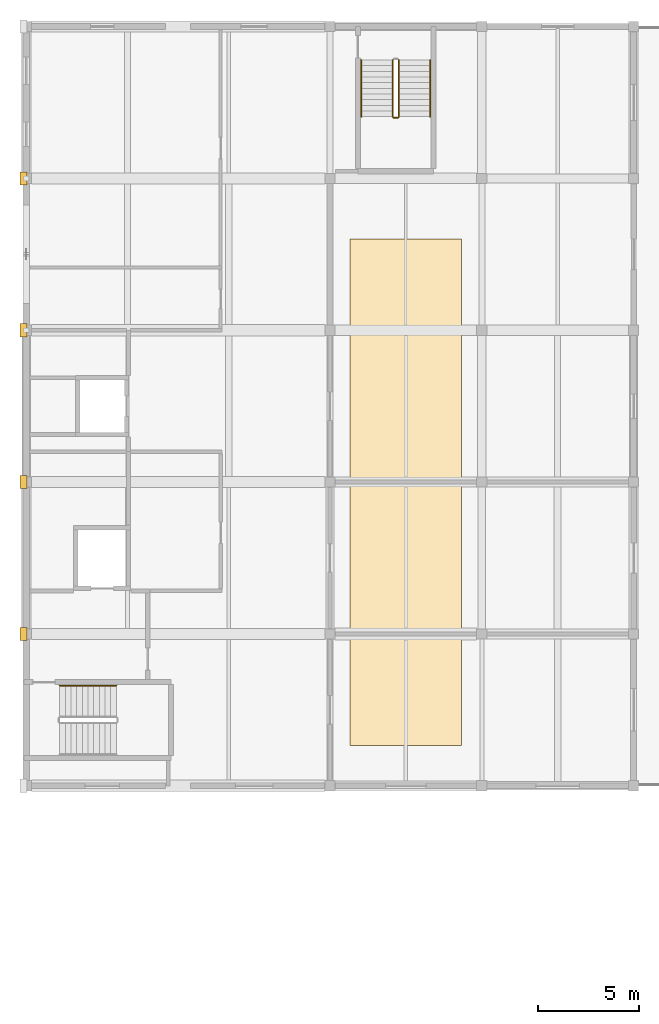
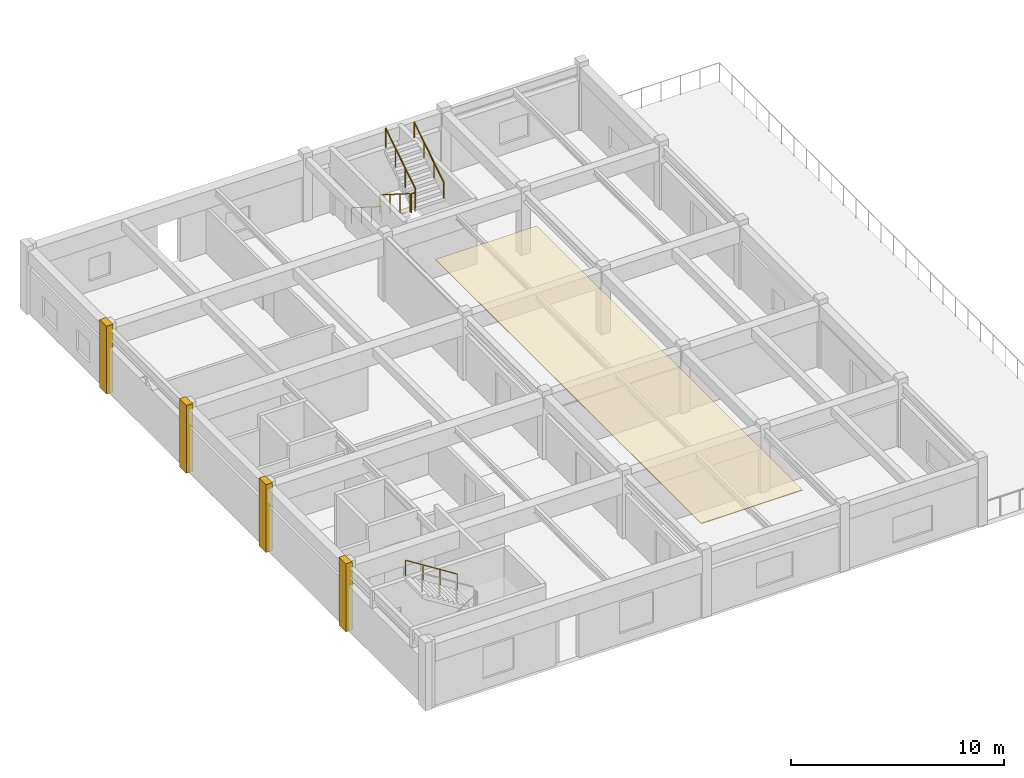
# One storey, part 79 of 82: 6 railings, 5 coverings.
"""IFC4 building model written with IfcOpenShell, lengths in metres."""

from ifc_helpers import new_model, si_unit, direction, frame, origin, origin_2d, place, context, subcontext, project, spatial, polyline, rectangle, circle, outline, extrude, material, layer, layer_set, type_object, element, save


model = new_model("IFC4")

# Units and contexts
model_context = context("Model", 3, precision=1e-05, world=origin(), true_north=direction((0.0, 1.0)))
body_context = subcontext(model_context, "Body", "Model", "MODEL_VIEW")
ifc_project = project(units=[si_unit("LENGTHUNIT", "METRE"), si_unit("AREAUNIT", "SQUARE_METRE"), si_unit("VOLUMEUNIT", "CUBIC_METRE"), si_unit("PLANEANGLEUNIT", "RADIAN"), si_unit("MASSUNIT", "GRAM", prefix="KILO")], contexts=[model_context])

# Site, building, storey
site_placement = place(None, origin())
site = spatial("IfcSite", under=ifc_project, at=site_placement, CompositionType="ELEMENT")
building_placement = place(site_placement, origin())
building = spatial("IfcBuilding", under=site, at=building_placement, Name="Qasida Concert Hall", CompositionType="ELEMENT")
storey_placement = place(building_placement, frame((0.0, 0.0, 17.10009765625)))
storey = spatial("IfcBuildingStorey", under=building, at=storey_placement, Name="L04", CompositionType="ELEMENT", Elevation=17.10009765625)

# Coverings
ifc_material_1 = material(Name="Sculpted fibrous plaster acoustic reflector ceiling", Category="gypsum")
ifc_layer_1 = layer(ifc_material_1, 0.0400390625, Name="Sculpted fibrous plaster acoustic reflector ceiling")
ifc_layer_set_1 = layer_set([ifc_layer_1], Name="Sculpted fibrous plaster acoustic reflector ceiling")
covering_type_1 = type_object("IfcCoveringType", Name="CV-CE-1", PredefinedType="CEILING", material=ifc_layer_set_1)
covering_placement = place(storey_placement, frame((0.0, 0.0, 3.619873046875)))
element("IfcCovering", 1, at=covering_placement, inside=storey, type_object=covering_type_1, Name="L04 acoustic reflector ceiling 07", PredefinedType="CEILING", context=body_context, shape_type="SweptSolid", body=[
    extrude(outline(polyline([(16.0, 77.0), (21.5, 77.0), (21.5, 102.0), (16.0, 102.0), (16.0, 77.0)])), origin(), (0.0, 0.0, 1.0), 0.0400390625),
])
ifc_material_2 = material(Name="Projecting fluted Lebanese limestone Art Deco pilaster", Category="masonry")
ifc_layer_2 = layer(ifc_material_2, 0.35009765625, Name="Projecting fluted Lebanese limestone Art Deco pilaster")
ifc_layer_set_2 = layer_set([ifc_layer_2], Name="Projecting fluted Lebanese limestone Art Deco pilaster")
covering_type_2 = type_object("IfcCoveringType", Name="CV-PIL-650", PredefinedType="CLADDING", material=ifc_layer_set_2)
for number, where, z_axis, x_axis, name in (
    (2, (-0.135009765625, 82.5, 0.0), (0.0, 0.0, 1.0), (1.0, 0.0, 0.0), "L04 fluted limestone pilaster 0276"),
    (3, (-0.135009765625, 90.0, 0.0), (0.0, 0.0, 1.0), (1.0, 0.0, 0.0), "L04 fluted limestone pilaster 0283"),
    (4, (-0.135009765625, 97.5, 0.0), (0.0, 0.0, 1.0), (1.0, 0.0, 0.0), "L04 fluted limestone pilaster 0290"),
    (5, (-0.135009765625, 105.0, 0.0), (0.0, 0.0, 1.0), (1.0, 0.0, 0.0), "L04 fluted limestone pilaster 0297"),
):
    element("IfcCovering", number, at=place(storey_placement, frame(where, z_axis=z_axis, x_axis=x_axis)), inside=storey, type_object=covering_type_2, Name=name, PredefinedType="CLADDING", context=body_context, shape_type="SweptSolid", body=[
        extrude(rectangle(XDim=0.35009765625, YDim=0.64990234375, at=origin_2d()), origin(), (0.0, 0.0, 1.0), 3.89990234375),
    ])

# Railings
ifc_material_3 = material(Name="Patinated architectural bronze and laminated glass infill", Category="glass")
ifc_layer_3 = layer(ifc_material_3, 0.080078125, Name="Patinated architectural bronze and laminated glass infill")
ifc_layer_set_3 = layer_set([ifc_layer_3], Name="Patinated architectural bronze and laminated glass infill")
railing_type_1 = type_object("IfcRailingType", Name="RL-GRD-1100", PredefinedType="GUARDRAIL", material=ifc_layer_set_3)
railing_1_placement = place(storey_placement, frame((18.10009765625, 110.85009765625, 0.17724609375)))
element("IfcRailing", 6, at=railing_1_placement, inside=storey, type_object=railing_type_1, Name="L04 ST-06 stair guard 1", PredefinedType="GUARDRAIL", context=body_context, shape_type="SweptSolid", body=[
    extrude(circle(Radius=0.02392578125, at=origin_2d()), frame((0.0, 0.0, 1.076171875), z_axis=(0.0, -0.844908973607, 0.534910110503), x_axis=(1.0, 0.0, 0.0)), (0.0, 0.0, 1.0), 3.31396484375),
    extrude(circle(Radius=0.02099609375, at=origin_2d()), origin(), (0.0, 0.0, 1.0), 1.052001953125),
    extrude(circle(Radius=0.02099609375, at=origin_2d()), frame((0.0, -0.933349609375, 0.5908203125)), (0.0, 0.0, 1.0), 1.052001953125),
    extrude(circle(Radius=0.02099609375, at=origin_2d()), frame((0.0, -1.86669921875, 1.181884765625)), (0.0, 0.0, 1.0), 1.052001953125),
    extrude(circle(Radius=0.02099609375, at=origin_2d()), frame((0.0, -2.800048828125, 1.772705078125)), (0.0, 0.0, 1.0), 1.052001953125),
])
railing_2_placement = place(storey_placement, frame((18.14990234375, 108.0, 1.949951171875)))
element("IfcRailing", 7, at=railing_2_placement, inside=storey, type_object=railing_type_1, Name="L04 ST-06 stair guard 2", PredefinedType="GUARDRAIL", context=body_context, shape_type="SweptSolid", body=[
    extrude(circle(Radius=0.02392578125, at=origin_2d()), frame((0.0, 0.0, 1.076171875), z_axis=(1.0, 0.0, 0.0), x_axis=(0.0, 1.0, 0.0)), (0.0, 0.0, 1.0), 0.2001953125),
    extrude(circle(Radius=0.02099609375, at=origin_2d()), origin(), (0.0, 0.0, 1.0), 1.052001953125),
    extrude(circle(Radius=0.02099609375, at=origin_2d()), frame((0.2001953125, 0.0, 0.0)), (0.0, 0.0, 1.0), 1.052001953125),
])
railing_3_placement = place(storey_placement, frame((18.39990234375, 108.050048828125, 2.127197265625)))
element("IfcRailing", 8, at=railing_3_placement, inside=storey, type_object=railing_type_1, Name="L04 ST-06 stair guard 3", PredefinedType="GUARDRAIL", context=body_context, shape_type="SweptSolid", body=[
    extrude(circle(Radius=0.02392578125, at=origin_2d()), frame((0.0, 0.0, 1.076171875), z_axis=(0.0, 0.844908973607, 0.534910110503), x_axis=(-1.0, 0.0, 0.0)), (0.0, 0.0, 1.0), 3.31396484375),
    extrude(circle(Radius=0.02099609375, at=origin_2d()), origin(), (0.0, 0.0, 1.0), 1.052001953125),
    extrude(circle(Radius=0.02099609375, at=origin_2d()), frame((0.0, 0.933349609375, 0.5908203125)), (0.0, 0.0, 1.0), 1.052001953125),
    extrude(circle(Radius=0.02099609375, at=origin_2d()), frame((0.0, 1.86669921875, 1.181884765625)), (0.0, 0.0, 1.0), 1.052001953125),
    extrude(circle(Radius=0.02099609375, at=origin_2d()), frame((0.0, 2.800048828125, 1.772705078125)), (0.0, 0.0, 1.0), 1.052001953125),
])
ifc_material_4 = material(Name="Patinated tubular architectural bronze", Category="steel")
ifc_layer_4 = layer(ifc_material_4, 0.050048828125, Name="Patinated tubular architectural bronze")
ifc_layer_set_4 = layer_set([ifc_layer_4], Name="Patinated tubular architectural bronze")
railing_type_2 = type_object("IfcRailingType", Name="RL-HND-900", PredefinedType="HANDRAIL", material=ifc_layer_set_4)
railing_4_placement = place(storey_placement, frame((4.449951171875, 79.949951171875, 2.127197265625)))
element("IfcRailing", 9, at=railing_4_placement, inside=storey, type_object=railing_type_2, Name="L04 ST-05 stair handrail 2", PredefinedType="HANDRAIL", context=body_context, shape_type="SweptSolid", body=[
    extrude(circle(Radius=0.02392578125, at=origin_2d()), frame((0.0, 0.0, 0.8759765625), z_axis=(-0.844908973607, 0.0, 0.534910110503), x_axis=(0.0, -1.0, 0.0)), (0.0, 0.0, 1.0), 3.31396484375),
    extrude(circle(Radius=0.02099609375, at=origin_2d()), origin(), (0.0, 0.0, 1.0), 0.851806640625),
    extrude(circle(Radius=0.02099609375, at=origin_2d()), frame((-0.933349609375, 0.0, 0.5908203125)), (0.0, 0.0, 1.0), 0.851806640625),
    extrude(circle(Radius=0.02099609375, at=origin_2d()), frame((-1.86669921875, 0.0, 1.181884765625)), (0.0, 0.0, 1.0), 0.851806640625),
    extrude(circle(Radius=0.02099609375, at=origin_2d()), frame((-2.800048828125, 0.0, 1.772705078125)), (0.0, 0.0, 1.0), 0.851806640625),
])
railing_5_placement = place(storey_placement, frame((16.550048828125, 110.85009765625, 0.17724609375)))
element("IfcRailing", 10, at=railing_5_placement, inside=storey, type_object=railing_type_2, Name="L04 ST-06 stair handrail 1", PredefinedType="HANDRAIL", context=body_context, shape_type="SweptSolid", body=[
    extrude(circle(Radius=0.02392578125, at=origin_2d()), frame((0.0, 0.0, 0.8759765625), z_axis=(0.0, -0.844908973607, 0.534910110503), x_axis=(1.0, 0.0, 0.0)), (0.0, 0.0, 1.0), 3.31396484375),
    extrude(circle(Radius=0.02099609375, at=origin_2d()), origin(), (0.0, 0.0, 1.0), 0.851806640625),
    extrude(circle(Radius=0.02099609375, at=origin_2d()), frame((0.0, -0.933349609375, 0.5908203125)), (0.0, 0.0, 1.0), 0.851806640625),
    extrude(circle(Radius=0.02099609375, at=origin_2d()), frame((0.0, -1.86669921875, 1.181884765625)), (0.0, 0.0, 1.0), 0.851806640625),
    extrude(circle(Radius=0.02099609375, at=origin_2d()), frame((0.0, -2.800048828125, 1.772705078125)), (0.0, 0.0, 1.0), 0.851806640625),
])
railing_6_placement = place(storey_placement, frame((19.949951171875, 108.050048828125, 2.127197265625)))
element("IfcRailing", 11, at=railing_6_placement, inside=storey, type_object=railing_type_2, Name="L04 ST-06 stair handrail 2", PredefinedType="HANDRAIL", context=body_context, shape_type="SweptSolid", body=[
    extrude(circle(Radius=0.02392578125, at=origin_2d()), frame((0.0, 0.0, 0.8759765625), z_axis=(0.0, 0.844908973607, 0.534910110503), x_axis=(-1.0, 0.0, 0.0)), (0.0, 0.0, 1.0), 3.31396484375),
    extrude(circle(Radius=0.02099609375, at=origin_2d()), origin(), (0.0, 0.0, 1.0), 0.851806640625),
    extrude(circle(Radius=0.02099609375, at=origin_2d()), frame((0.0, 0.933349609375, 0.5908203125)), (0.0, 0.0, 1.0), 0.851806640625),
    extrude(circle(Radius=0.02099609375, at=origin_2d()), frame((0.0, 1.86669921875, 1.181884765625)), (0.0, 0.0, 1.0), 0.851806640625),
    extrude(circle(Radius=0.02099609375, at=origin_2d()), frame((0.0, 2.800048828125, 1.772705078125)), (0.0, 0.0, 1.0), 0.851806640625),
])

save(model, "model.ifc")
